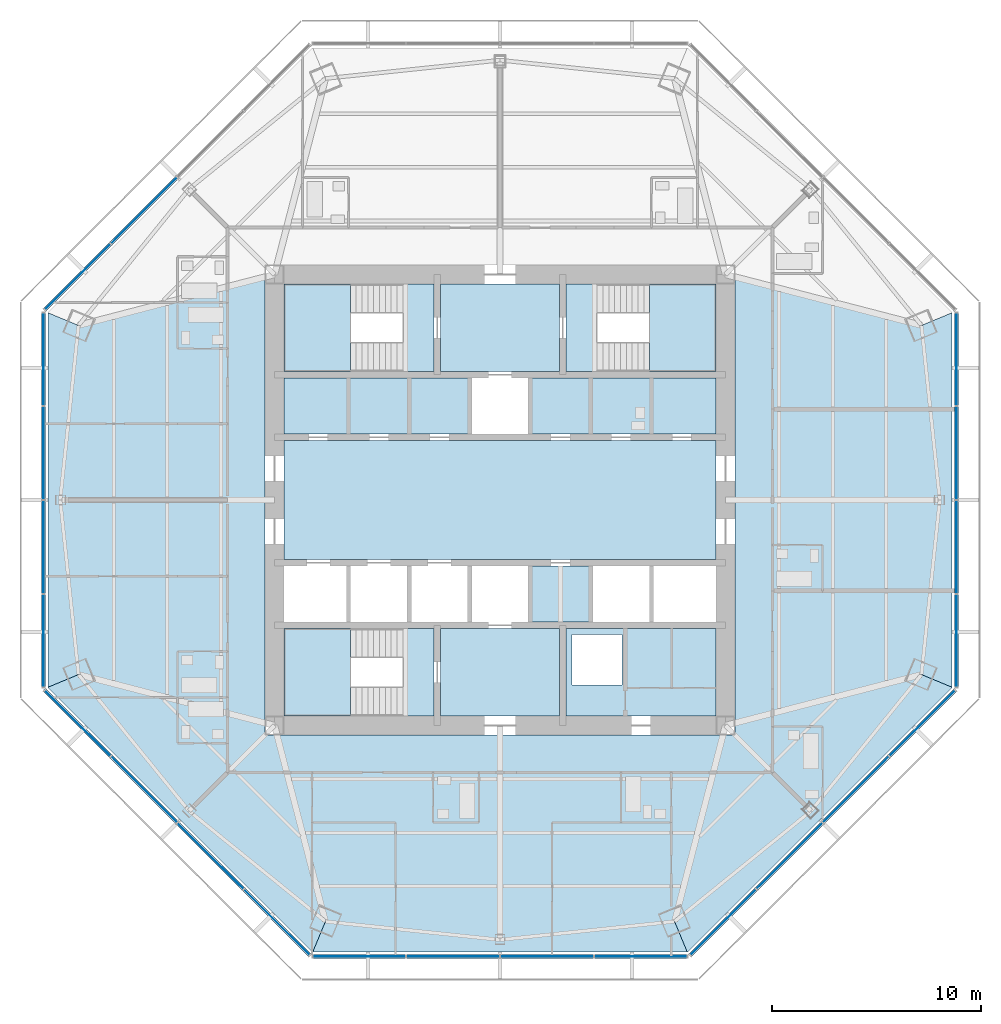
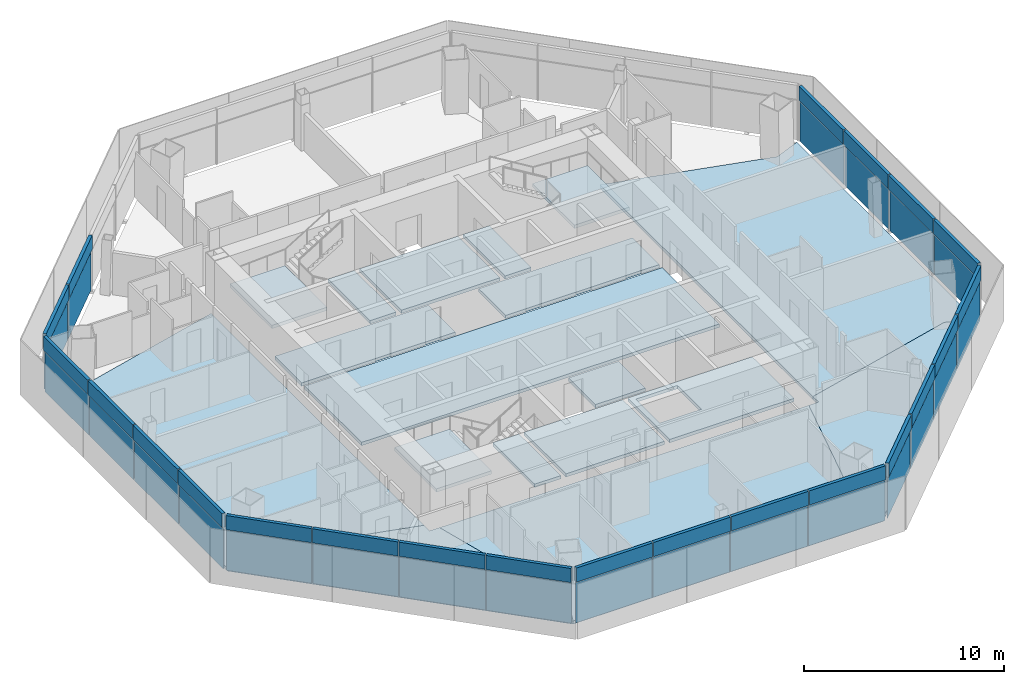
# One storey, part 7 of 16: 44 plates, 18 slabs, 9 elements without a shape of their own.
"""IFC4 building model written with IfcOpenShell, lengths in metres."""

from ifc_helpers import new_model, si_unit, direction, frame, origin, origin_2d, place, context, subcontext, project, spatial, polyline, rectangle, outline, extrude, source, transform, mapped, material, layer, layer_set, type_object, type_shapes, element, aggregate, save


model = new_model("IFC4")

# Units and contexts
model_context = context("Model", 3, precision=1e-05, world=origin(), true_north=direction((0.0, 1.0)))
body_context = subcontext(model_context, "Body", "Model", "MODEL_VIEW")
ifc_project = project(units=[si_unit("LENGTHUNIT", "METRE"), si_unit("AREAUNIT", "SQUARE_METRE"), si_unit("VOLUMEUNIT", "CUBIC_METRE"), si_unit("PLANEANGLEUNIT", "RADIAN"), si_unit("MASSUNIT", "GRAM", prefix="KILO")], contexts=[model_context])

# Site, building, storey
site_placement = place(None, origin())
site = spatial("IfcSite", under=ifc_project, at=site_placement, CompositionType="ELEMENT")
building_placement = place(site_placement, origin())
building = spatial("IfcBuilding", under=site, at=building_placement, Name="Mashrafa Tower", CompositionType="ELEMENT")
storey_placement = place(building_placement, frame((0.0, 0.0, 217.60009765625)))
storey = spatial("IfcBuildingStorey", under=building, at=storey_placement, Name="L50", CompositionType="ELEMENT", Elevation=217.60009765625)

# Slabs
ifc_material_1 = material(Name="Concrete C35/45", Category="concrete")
ifc_layer_1 = layer(ifc_material_1, 0.199951171875)
ifc_layer_set_1 = layer_set([ifc_layer_1], Name="Floor slab 200")
slab_type_1 = type_object("IfcSlabType", Name="Floor slab 200", PredefinedType="FLOOR", material=ifc_layer_set_1)
slab_1_placement = place(storey_placement, frame((0.0, 0.0, -0.2001953125)))
element("IfcSlab", 1, at=slab_1_placement, inside=storey, type_object=slab_type_1, Name="Floor slab L50 east bay", PredefinedType="FLOOR", context=body_context, shape_type="SweptSolid", body=[
    extrude(outline(polyline([(21.6591796875, 8.971435546875), (21.6591796875, -8.971435546875), (21.6591796875, -8.971435546875), (20.1865234375, -8.361572265625), (11.25, -10.68310546875), (11.25, 10.68310546875), (20.1865234375, 8.361572265625), (21.6591796875, 8.971435546875), (21.6591796875, 8.971435546875)])), origin(), (0.0, 0.0, 1.0), 0.2001953125),
])
slab_2_placement = place(storey_placement, frame((0.0, 0.0, -0.2001953125)))
element("IfcSlab", 2, at=slab_2_placement, inside=storey, type_object=slab_type_1, Name="Floor slab L50 west bay", PredefinedType="FLOOR", context=body_context, shape_type="SweptSolid", body=[
    extrude(outline(polyline([(-21.6591796875, -8.971435546875), (-21.6591796875, 8.971435546875), (-21.6591796875, 8.971435546875), (-20.1865234375, 8.361572265625), (-11.25, 10.68310546875), (-11.25, -10.68310546875), (-20.1865234375, -8.361572265625), (-21.6591796875, -8.971435546875), (-21.6591796875, -8.971435546875)])), origin(), (0.0, 0.0, 1.0), 0.2001953125),
])
slab_3_placement = place(storey_placement, frame((0.0, 0.0, -0.2001953125)))
element("IfcSlab", 3, at=slab_3_placement, inside=storey, type_object=slab_type_1, Name="Floor slab L50 south-west bay", PredefinedType="FLOOR", context=body_context, shape_type="SweptSolid", body=[
    extrude(outline(polyline([(-21.6591796875, -8.971435546875), (-20.1865234375, -8.361572265625), (-11.25, -10.68310546875), (-11.25, -11.25), (-10.68310546875, -11.25), (-8.361572265625, -20.1865234375), (-8.971435546875, -21.6591796875), (-21.6591796875, -8.971435546875)])), origin(), (0.0, 0.0, 1.0), 0.2001953125),
])
slab_4_placement = place(storey_placement, frame((0.0, 0.0, -0.2001953125)))
element("IfcSlab", 4, at=slab_4_placement, inside=storey, type_object=slab_type_1, Name="Floor slab L50 south bay", PredefinedType="FLOOR", context=body_context, shape_type="SweptSolid", body=[
    extrude(outline(polyline([(-8.971435546875, -21.6591796875), (-8.971435546875, -21.6591796875), (-8.361572265625, -20.1865234375), (-10.68310546875, -11.25), (10.68310546875, -11.25), (8.361572265625, -20.1865234375), (8.971435546875, -21.6591796875), (8.971435546875, -21.6591796875), (-8.971435546875, -21.6591796875)])), origin(), (0.0, 0.0, 1.0), 0.2001953125),
])
slab_5_placement = place(storey_placement, frame((0.0, 0.0, -0.2001953125)))
element("IfcSlab", 5, at=slab_5_placement, inside=storey, type_object=slab_type_1, Name="Floor slab L50 south-east bay", PredefinedType="FLOOR", context=body_context, shape_type="SweptSolid", body=[
    extrude(outline(polyline([(8.971435546875, -21.6591796875), (8.361572265625, -20.1865234375), (10.68310546875, -11.25), (11.25, -11.25), (11.25, -10.68310546875), (20.1865234375, -8.361572265625), (21.6591796875, -8.971435546875), (8.971435546875, -21.6591796875)])), origin(), (0.0, 0.0, 1.0), 0.2001953125),
])
slab_6_placement = place(storey_placement, frame((0.0, 0.0, -0.2001953125)))
element("IfcSlab", 6, at=slab_6_placement, inside=storey, type_object=slab_type_1, Name="Core floor lift hall L50", PredefinedType="FLOOR", context=body_context, shape_type="SweptSolid", body=[
    extrude(outline(polyline([(-10.35009765625, 2.85009765625), (10.35009765625, 2.85009765625), (10.35009765625, -2.85009765625), (-10.35009765625, -2.85009765625), (-10.35009765625, 2.85009765625)])), origin(), (0.0, 0.0, 1.0), 0.2001953125),
])
slab_7_placement = place(storey_placement, frame((0.0, 0.0, -0.2001953125)))
element("IfcSlab", 7, at=slab_7_placement, inside=storey, type_object=slab_type_1, Name="Core floor riser and electrical band L50", PredefinedType="FLOOR", context=body_context, shape_type="SweptSolid", body=[
    extrude(outline(polyline([(10.35009765625, -6.14990234375), (10.35009765625, -10.35009765625), (3.14990234375, -10.35009765625), (3.14990234375, -6.14990234375), (10.35009765625, -6.14990234375)]), holes=[polyline([(3.449951171875, -8.85009765625), (5.85009765625, -8.85009765625), (5.85009765625, -6.449951171875), (3.449951171875, -6.449951171875), (3.449951171875, -8.85009765625)])]), origin(), (0.0, 0.0, 1.0), 0.2001953125),
])
slab_8_placement = place(storey_placement, frame((0.0, 0.0, -0.2001953125)))
element("IfcSlab", 8, at=slab_8_placement, inside=storey, type_object=slab_type_1, Name="Core floor lift cell L50", PredefinedType="FLOOR", context=body_context, shape_type="SweptSolid", body=[
    extrude(outline(polyline([(-10.35009765625, 5.85009765625), (-1.449951171875, 5.85009765625), (-1.449951171875, 3.14990234375), (-10.35009765625, 3.14990234375), (-10.35009765625, 5.85009765625)])), origin(), (0.0, 0.0, 1.0), 0.2001953125),
])
slab_9_placement = place(storey_placement, frame((0.0, 0.0, -0.2001953125)))
element("IfcSlab", 9, at=slab_9_placement, inside=storey, type_object=slab_type_1, Name="Core floor lift cell L50", PredefinedType="FLOOR", context=body_context, shape_type="SweptSolid", body=[
    extrude(outline(polyline([(1.449951171875, 5.85009765625), (10.35009765625, 5.85009765625), (10.35009765625, 3.14990234375), (1.449951171875, 3.14990234375), (1.449951171875, 5.85009765625)])), origin(), (0.0, 0.0, 1.0), 0.2001953125),
])
slab_10_placement = place(storey_placement, frame((0.0, 0.0, -0.2001953125)))
element("IfcSlab", 10, at=slab_10_placement, inside=storey, type_object=slab_type_1, Name="Core floor fire-fighting lobby south L50", PredefinedType="FLOOR", context=body_context, shape_type="SweptSolid", body=[
    extrude(outline(polyline([(2.85009765625, -6.14990234375), (2.85009765625, -10.35009765625), (-2.85009765625, -10.35009765625), (-2.85009765625, -6.14990234375), (2.85009765625, -6.14990234375)])), origin(), (0.0, 0.0, 1.0), 0.2001953125),
])
slab_11_placement = place(storey_placement, frame((0.0, 0.0, -0.2001953125)))
element("IfcSlab", 11, at=slab_11_placement, inside=storey, type_object=slab_type_1, Name="Core floor fire-fighting lobby north L50", PredefinedType="FLOOR", context=body_context, shape_type="SweptSolid", body=[
    extrude(outline(polyline([(-2.85009765625, 10.35009765625), (2.85009765625, 10.35009765625), (2.85009765625, 6.14990234375), (-2.85009765625, 6.14990234375), (-2.85009765625, 10.35009765625)])), origin(), (0.0, 0.0, 1.0), 0.2001953125),
])
slab_12_placement = place(storey_placement, frame((0.0, 0.0, -0.2001953125)))
element("IfcSlab", 12, at=slab_12_placement, inside=storey, type_object=slab_type_1, Name="Core floor lift cell L50", PredefinedType="FLOOR", context=body_context, shape_type="SweptSolid", body=[
    extrude(outline(polyline([(4.35009765625, -3.14990234375), (4.35009765625, -5.85009765625), (1.449951171875, -5.85009765625), (1.449951171875, -3.14990234375), (4.35009765625, -3.14990234375)])), origin(), (0.0, 0.0, 1.0), 0.2001953125),
])

# Stair, slabs
ifc_material_2 = material(Name="Exit stair 1400")
stair_type = type_object("IfcStairType", Name="Exit stair 1400", PredefinedType="HALF_TURN_STAIR", material=ifc_material_2)
stair_1_placement = place(storey_placement, origin())
stair_1 = element("IfcStair", 13, at=stair_1_placement, inside=storey, type_object=stair_type, Name="Stair S1 L50", PredefinedType="HALF_TURN_STAIR")
ifc_material_3 = material(Name="Concrete C32/40", Category="concrete")
ifc_layer_2 = layer(ifc_material_3, 0.199951171875)
ifc_layer_set_2 = layer_set([ifc_layer_2], Name="Stair landing 200")
slab_type_2 = type_object("IfcSlabType", Name="Stair landing 200", PredefinedType="LANDING", material=ifc_layer_set_2)
slab_13_placement = place(storey_placement, frame((0.0, 0.0, -0.2001953125)))
slab_13 = element("IfcSlab", 14, at=slab_13_placement, type_object=slab_type_2, Name="S1 landing 1", PredefinedType="LANDING", context=body_context, shape_type="SweptSolid", body=[
    extrude(outline(polyline([(-4.659912109375, 6.14990234375), (-3.14990234375, 6.14990234375), (-3.14990234375, 10.35009765625), (-4.659912109375, 10.35009765625), (-4.659912109375, 6.14990234375)])), origin(), (0.0, 0.0, 1.0), 0.2001953125),
])
slab_14_placement = place(storey_placement, frame((0.0, 0.0, 1.5)))
slab_14 = element("IfcSlab", 15, at=slab_14_placement, type_object=slab_type_2, Name="S1 landing 2", PredefinedType="LANDING", context=body_context, shape_type="SweptSolid", body=[
    extrude(outline(polyline([(-10.35009765625, 6.14990234375), (-7.159912109375, 6.14990234375), (-7.159912109375, 10.35009765625), (-10.35009765625, 10.35009765625), (-10.35009765625, 6.14990234375)])), origin(), (0.0, 0.0, 1.0), 0.199951171875),
])
aggregate(stair_1, [slab_13, slab_14])

stair_2_placement = place(storey_placement, origin())
stair_2 = element("IfcStair", 16, at=stair_2_placement, inside=storey, type_object=stair_type, Name="Stair S2 L50", PredefinedType="HALF_TURN_STAIR")
slab_15_placement = place(storey_placement, frame((0.0, 0.0, -0.2001953125)))
slab_15 = element("IfcSlab", 17, at=slab_15_placement, type_object=slab_type_2, Name="S2 landing 1", PredefinedType="LANDING", context=body_context, shape_type="SweptSolid", body=[
    extrude(outline(polyline([(3.14990234375, 6.14990234375), (4.659912109375, 6.14990234375), (4.659912109375, 10.35009765625), (3.14990234375, 10.35009765625), (3.14990234375, 6.14990234375)])), origin(), (0.0, 0.0, 1.0), 0.2001953125),
])
slab_16_placement = place(storey_placement, frame((0.0, 0.0, 1.5)))
slab_16 = element("IfcSlab", 18, at=slab_16_placement, type_object=slab_type_2, Name="S2 landing 2", PredefinedType="LANDING", context=body_context, shape_type="SweptSolid", body=[
    extrude(outline(polyline([(7.159912109375, 6.14990234375), (10.35009765625, 6.14990234375), (10.35009765625, 10.35009765625), (7.159912109375, 10.35009765625), (7.159912109375, 6.14990234375)])), origin(), (0.0, 0.0, 1.0), 0.199951171875),
])
aggregate(stair_2, [slab_15, slab_16])

stair_3_placement = place(storey_placement, origin())
stair_3 = element("IfcStair", 19, at=stair_3_placement, inside=storey, type_object=stair_type, Name="Stair S3 L50", PredefinedType="HALF_TURN_STAIR")
slab_17_placement = place(storey_placement, frame((0.0, 0.0, -0.2001953125)))
slab_17 = element("IfcSlab", 20, at=slab_17_placement, type_object=slab_type_2, Name="S3 landing 1", PredefinedType="LANDING", context=body_context, shape_type="SweptSolid", body=[
    extrude(outline(polyline([(-4.659912109375, -10.35009765625), (-3.14990234375, -10.35009765625), (-3.14990234375, -6.14990234375), (-4.659912109375, -6.14990234375), (-4.659912109375, -10.35009765625)])), origin(), (0.0, 0.0, 1.0), 0.2001953125),
])
slab_18_placement = place(storey_placement, frame((0.0, 0.0, 1.5)))
slab_18 = element("IfcSlab", 21, at=slab_18_placement, type_object=slab_type_2, Name="S3 landing 2", PredefinedType="LANDING", context=body_context, shape_type="SweptSolid", body=[
    extrude(outline(polyline([(-10.35009765625, -10.35009765625), (-7.159912109375, -10.35009765625), (-7.159912109375, -6.14990234375), (-10.35009765625, -6.14990234375), (-10.35009765625, -10.35009765625)])), origin(), (0.0, 0.0, 1.0), 0.199951171875),
])
aggregate(stair_3, [slab_17, slab_18])

# Curtain wall, plates
ifc_material_4 = material(Name="Unitised aluminium curtain wall", Category="aluminium")
curtain_wall_type = type_object("IfcCurtainWallType", Name="Apartment curtain wall, zone 3 CW-C 180 deep", PredefinedType="NOTDEFINED", material=ifc_material_4)
curtain_wall_1_placement = place(storey_placement, origin())
curtain_wall_1 = element("IfcCurtainWall", 22, at=curtain_wall_1_placement, inside=storey, type_object=curtain_wall_type, Name="Apartment curtain wall, zone 3 L50 east", PredefinedType="NOTDEFINED")
ifc_material_5 = material(Name="Insulated double glazing, acoustic", Category="glass")
ifc_layer_3 = layer(ifc_material_5, 0.028076171875)
ifc_layer_set_3 = layer_set([ifc_layer_3], Name="Vision panel CW-C 28")
plate_type_1 = type_object("IfcPlateType", Name="Vision panel CW-C 28", PredefinedType="CURTAIN_PANEL", material=ifc_layer_set_3)
shared_shape_1 = source(origin(), body_context, "Body", "SweptSolid", [
    extrude(rectangle(XDim=4.41357421875, YDim=0.028076171875, at=origin_2d()), origin(), (0.0, 0.0, 1.0), 2.46240234375),
])
plate_1_placement = place(storey_placement, frame((21.859130859375, -6.740234375, 0.0), z_axis=(0.0, 0.0, 1.0), x_axis=(0.0, 1.0, 0.0)))
plate_1 = element("IfcPlate", 23, at=plate_1_placement, type_object=plate_type_1, Name="CW-C vision panel 1", PredefinedType="CURTAIN_PANEL", context=body_context, shape_type="MappedRepresentation", body=[
    mapped(shared_shape_1, transform((0.0, 0.0, 0.0))),
])
plate_2_placement = place(storey_placement, frame((21.859130859375, 6.740234375, 0.0), z_axis=(0.0, 0.0, 1.0), x_axis=(0.0, 1.0, 0.0)))
plate_2 = element("IfcPlate", 24, at=plate_2_placement, type_object=plate_type_1, Name="CW-C vision panel 4", PredefinedType="CURTAIN_PANEL", context=body_context, shape_type="MappedRepresentation", body=[
    mapped(shared_shape_1, transform((0.0, 0.0, 0.0))),
])

# Curtain wall, plate
curtain_wall_2_placement = place(storey_placement, origin())
curtain_wall_2 = element("IfcCurtainWall", 25, at=curtain_wall_2_placement, inside=storey, type_object=curtain_wall_type, Name="Apartment curtain wall, zone 3 L50 north-west", PredefinedType="NOTDEFINED")
plate_3_placement = place(storey_placement, frame((-20.222900390625, 10.690673828125, 0.0), z_axis=(0.0, 0.0, 1.0), x_axis=(-0.707106781187, -0.707106781187, 0.0)))
plate_3 = element("IfcPlate", 26, at=plate_3_placement, type_object=plate_type_1, Name="CW-C vision panel 4", PredefinedType="CURTAIN_PANEL", context=body_context, shape_type="MappedRepresentation", body=[
    mapped(shared_shape_1, transform((0.0, 0.0, 0.0))),
])

# Curtain wall, plates
curtain_wall_3_placement = place(storey_placement, origin())
curtain_wall_3 = element("IfcCurtainWall", 27, at=curtain_wall_3_placement, inside=storey, type_object=curtain_wall_type, Name="Apartment curtain wall, zone 3 L50 west", PredefinedType="NOTDEFINED")
plate_4_placement = place(storey_placement, frame((-21.859130859375, 6.740234375, 0.0), z_axis=(0.0, 0.0, 1.0), x_axis=(0.0, -1.0, 0.0)))
plate_4 = element("IfcPlate", 28, at=plate_4_placement, type_object=plate_type_1, Name="CW-C vision panel 1", PredefinedType="CURTAIN_PANEL", context=body_context, shape_type="MappedRepresentation", body=[
    mapped(shared_shape_1, transform((0.0, 0.0, 0.0))),
])
plate_5_placement = place(storey_placement, frame((-21.859130859375, -6.740234375, 0.0), z_axis=(0.0, 0.0, 1.0), x_axis=(0.0, -1.0, 0.0)))
plate_5 = element("IfcPlate", 29, at=plate_5_placement, type_object=plate_type_1, Name="CW-C vision panel 4", PredefinedType="CURTAIN_PANEL", context=body_context, shape_type="MappedRepresentation", body=[
    mapped(shared_shape_1, transform((0.0, 0.0, 0.0))),
])

curtain_wall_4_placement = place(storey_placement, origin())
curtain_wall_4 = element("IfcCurtainWall", 30, at=curtain_wall_4_placement, inside=storey, type_object=curtain_wall_type, Name="Apartment curtain wall, zone 3 L50 south-west", PredefinedType="NOTDEFINED")
plate_6_placement = place(storey_placement, frame((-20.222900390625, -10.690673828125, 0.0), z_axis=(0.0, 0.0, 1.0), x_axis=(0.707106781187, -0.707106781187, 0.0)))
plate_6 = element("IfcPlate", 31, at=plate_6_placement, type_object=plate_type_1, Name="CW-C vision panel 1", PredefinedType="CURTAIN_PANEL", context=body_context, shape_type="MappedRepresentation", body=[
    mapped(shared_shape_1, transform((0.0, 0.0, 0.0))),
])
plate_7_placement = place(storey_placement, frame((-10.690673828125, -20.222900390625, 0.0), z_axis=(0.0, 0.0, 1.0), x_axis=(0.707106781187, -0.707106781187, 0.0)))
plate_7 = element("IfcPlate", 32, at=plate_7_placement, type_object=plate_type_1, Name="CW-C vision panel 4", PredefinedType="CURTAIN_PANEL", context=body_context, shape_type="MappedRepresentation", body=[
    mapped(shared_shape_1, transform((0.0, 0.0, 0.0))),
])

curtain_wall_5_placement = place(storey_placement, origin())
curtain_wall_5 = element("IfcCurtainWall", 33, at=curtain_wall_5_placement, inside=storey, type_object=curtain_wall_type, Name="Apartment curtain wall, zone 3 L50 south", PredefinedType="NOTDEFINED")
plate_8_placement = place(storey_placement, frame((-6.740234375, -21.859130859375, 0.0), z_axis=(0.0, 0.0, 1.0), x_axis=(1.0, 0.0, 0.0)))
plate_8 = element("IfcPlate", 34, at=plate_8_placement, type_object=plate_type_1, Name="CW-C vision panel 1", PredefinedType="CURTAIN_PANEL", context=body_context, shape_type="MappedRepresentation", body=[
    mapped(shared_shape_1, transform((0.0, 0.0, 0.0))),
])
plate_9_placement = place(storey_placement, frame((6.740234375, -21.859130859375, 0.0), z_axis=(0.0, 0.0, 1.0), x_axis=(1.0, 0.0, 0.0)))
plate_9 = element("IfcPlate", 35, at=plate_9_placement, type_object=plate_type_1, Name="CW-C vision panel 4", PredefinedType="CURTAIN_PANEL", context=body_context, shape_type="MappedRepresentation", body=[
    mapped(shared_shape_1, transform((0.0, 0.0, 0.0))),
])

curtain_wall_6_placement = place(storey_placement, origin())
curtain_wall_6 = element("IfcCurtainWall", 36, at=curtain_wall_6_placement, inside=storey, type_object=curtain_wall_type, Name="Apartment curtain wall, zone 3 L50 south-east", PredefinedType="NOTDEFINED")
plate_10_placement = place(storey_placement, frame((10.690673828125, -20.222900390625, 0.0), z_axis=(0.0, 0.0, 1.0), x_axis=(0.707106781187, 0.707106781187, 0.0)))
plate_10 = element("IfcPlate", 37, at=plate_10_placement, type_object=plate_type_1, Name="CW-C vision panel 1", PredefinedType="CURTAIN_PANEL", context=body_context, shape_type="MappedRepresentation", body=[
    mapped(shared_shape_1, transform((0.0, 0.0, 0.0))),
])
plate_11_placement = place(storey_placement, frame((20.222900390625, -10.690673828125, 0.0), z_axis=(0.0, 0.0, 1.0), x_axis=(0.707106781187, 0.707106781187, 0.0)))
plate_11 = element("IfcPlate", 38, at=plate_11_placement, type_object=plate_type_1, Name="CW-C vision panel 4", PredefinedType="CURTAIN_PANEL", context=body_context, shape_type="MappedRepresentation", body=[
    mapped(shared_shape_1, transform((0.0, 0.0, 0.0))),
])

# Plate
ifc_material_6 = material(Name="Insulated bronze aluminium spandrel panel", Category="aluminium")
ifc_layer_4 = layer(ifc_material_6, 0.179931640625)
ifc_layer_set_4 = layer_set([ifc_layer_4], Name="Spandrel panel CW-C 180")
plate_type_2 = type_object("IfcPlateType", Name="Spandrel panel CW-C 180", PredefinedType="CURTAIN_PANEL", material=ifc_layer_set_4)
shared_shape_2 = source(origin(), body_context, "Body", "SweptSolid", [
    extrude(rectangle(XDim=4.41357421875, YDim=0.179931640625, at=origin_2d()), origin(), (0.0, 0.0, 1.0), 0.862548828125),
])
plate_12_placement = place(storey_placement, frame((21.859130859375, -6.740234375, 2.53759765625), z_axis=(0.0, 0.0, 1.0), x_axis=(0.0, 1.0, 0.0)))
plate_12 = element("IfcPlate", 39, at=plate_12_placement, type_object=plate_type_2, Name="CW-C spandrel panel 1", PredefinedType="CURTAIN_PANEL", context=body_context, shape_type="MappedRepresentation", body=[
    mapped(shared_shape_2, transform((0.0, 0.0, 0.0))),
])

plate_13_placement = place(storey_placement, frame((21.859130859375, 6.740234375, 2.53759765625), z_axis=(0.0, 0.0, 1.0), x_axis=(0.0, 1.0, 0.0)))
plate_13 = element("IfcPlate", 40, at=plate_13_placement, type_object=plate_type_2, Name="CW-C spandrel panel 4", PredefinedType="CURTAIN_PANEL", context=body_context, shape_type="MappedRepresentation", body=[
    mapped(shared_shape_2, transform((0.0, 0.0, 0.0))),
])

plate_14_placement = place(storey_placement, frame((-20.222900390625, 10.690673828125, 2.53759765625), z_axis=(0.0, 0.0, 1.0), x_axis=(-0.707106781187, -0.707106781187, 0.0)))
plate_14 = element("IfcPlate", 41, at=plate_14_placement, type_object=plate_type_2, Name="CW-C spandrel panel 4", PredefinedType="CURTAIN_PANEL", context=body_context, shape_type="MappedRepresentation", body=[
    mapped(shared_shape_2, transform((0.0, 0.0, 0.0))),
])

plate_15_placement = place(storey_placement, frame((-21.859130859375, 6.740234375, 2.53759765625), z_axis=(0.0, 0.0, 1.0), x_axis=(0.0, -1.0, 0.0)))
plate_15 = element("IfcPlate", 42, at=plate_15_placement, type_object=plate_type_2, Name="CW-C spandrel panel 1", PredefinedType="CURTAIN_PANEL", context=body_context, shape_type="MappedRepresentation", body=[
    mapped(shared_shape_2, transform((0.0, 0.0, 0.0))),
])

plate_16_placement = place(storey_placement, frame((-21.859130859375, -6.740234375, 2.53759765625), z_axis=(0.0, 0.0, 1.0), x_axis=(0.0, -1.0, 0.0)))
plate_16 = element("IfcPlate", 43, at=plate_16_placement, type_object=plate_type_2, Name="CW-C spandrel panel 4", PredefinedType="CURTAIN_PANEL", context=body_context, shape_type="MappedRepresentation", body=[
    mapped(shared_shape_2, transform((0.0, 0.0, 0.0))),
])

plate_17_placement = place(storey_placement, frame((-20.222900390625, -10.690673828125, 2.53759765625), z_axis=(0.0, 0.0, 1.0), x_axis=(0.707106781187, -0.707106781187, 0.0)))
plate_17 = element("IfcPlate", 44, at=plate_17_placement, type_object=plate_type_2, Name="CW-C spandrel panel 1", PredefinedType="CURTAIN_PANEL", context=body_context, shape_type="MappedRepresentation", body=[
    mapped(shared_shape_2, transform((0.0, 0.0, 0.0))),
])

plate_18_placement = place(storey_placement, frame((-10.690673828125, -20.222900390625, 2.53759765625), z_axis=(0.0, 0.0, 1.0), x_axis=(0.707106781187, -0.707106781187, 0.0)))
plate_18 = element("IfcPlate", 45, at=plate_18_placement, type_object=plate_type_2, Name="CW-C spandrel panel 4", PredefinedType="CURTAIN_PANEL", context=body_context, shape_type="MappedRepresentation", body=[
    mapped(shared_shape_2, transform((0.0, 0.0, 0.0))),
])

plate_19_placement = place(storey_placement, frame((-6.740234375, -21.859130859375, 2.53759765625), z_axis=(0.0, 0.0, 1.0), x_axis=(1.0, 0.0, 0.0)))
plate_19 = element("IfcPlate", 46, at=plate_19_placement, type_object=plate_type_2, Name="CW-C spandrel panel 1", PredefinedType="CURTAIN_PANEL", context=body_context, shape_type="MappedRepresentation", body=[
    mapped(shared_shape_2, transform((0.0, 0.0, 0.0))),
])

plate_20_placement = place(storey_placement, frame((6.740234375, -21.859130859375, 2.53759765625), z_axis=(0.0, 0.0, 1.0), x_axis=(1.0, 0.0, 0.0)))
plate_20 = element("IfcPlate", 47, at=plate_20_placement, type_object=plate_type_2, Name="CW-C spandrel panel 4", PredefinedType="CURTAIN_PANEL", context=body_context, shape_type="MappedRepresentation", body=[
    mapped(shared_shape_2, transform((0.0, 0.0, 0.0))),
])

plate_21_placement = place(storey_placement, frame((10.690673828125, -20.222900390625, 2.53759765625), z_axis=(0.0, 0.0, 1.0), x_axis=(0.707106781187, 0.707106781187, 0.0)))
plate_21 = element("IfcPlate", 48, at=plate_21_placement, type_object=plate_type_2, Name="CW-C spandrel panel 1", PredefinedType="CURTAIN_PANEL", context=body_context, shape_type="MappedRepresentation", body=[
    mapped(shared_shape_2, transform((0.0, 0.0, 0.0))),
])

plate_22_placement = place(storey_placement, frame((20.222900390625, -10.690673828125, 2.53759765625), z_axis=(0.0, 0.0, 1.0), x_axis=(0.707106781187, 0.707106781187, 0.0)))
plate_22 = element("IfcPlate", 49, at=plate_22_placement, type_object=plate_type_2, Name="CW-C spandrel panel 4", PredefinedType="CURTAIN_PANEL", context=body_context, shape_type="MappedRepresentation", body=[
    mapped(shared_shape_2, transform((0.0, 0.0, 0.0))),
])

shared_shape_3 = source(origin(), body_context, "Body", "SweptSolid", [
    extrude(rectangle(XDim=4.443603515625, YDim=0.028076171875, at=origin_2d()), origin(), (0.0, 0.0, 1.0), 2.46240234375),
])
type_shapes(plate_type_1, [shared_shape_1, shared_shape_3])
plate_23_placement = place(storey_placement, frame((21.859130859375, -2.251708984375, 0.0), z_axis=(0.0, 0.0, 1.0), x_axis=(0.0, 1.0, 0.0)))
plate_23 = element("IfcPlate", 50, at=plate_23_placement, type_object=plate_type_1, Name="CW-C vision panel 2", PredefinedType="CURTAIN_PANEL", context=body_context, shape_type="MappedRepresentation", body=[
    mapped(shared_shape_3, transform((0.0, 0.0, 0.0))),
])

plate_24_placement = place(storey_placement, frame((21.859130859375, 2.251708984375, 0.0), z_axis=(0.0, 0.0, 1.0), x_axis=(0.0, 1.0, 0.0)))
plate_24 = element("IfcPlate", 51, at=plate_24_placement, type_object=plate_type_1, Name="CW-C vision panel 3", PredefinedType="CURTAIN_PANEL", context=body_context, shape_type="MappedRepresentation", body=[
    mapped(shared_shape_3, transform((0.0, 0.0, 0.0))),
])

plate_25_placement = place(storey_placement, frame((-17.049072265625, 13.864501953125, 0.0), z_axis=(0.0, 0.0, 1.0), x_axis=(-0.707106781187, -0.707106781187, 0.0)))
plate_25 = element("IfcPlate", 52, at=plate_25_placement, type_object=plate_type_1, Name="CW-C vision panel 3", PredefinedType="CURTAIN_PANEL", context=body_context, shape_type="MappedRepresentation", body=[
    mapped(shared_shape_3, transform((0.0, 0.0, 0.0))),
])

plate_26_placement = place(storey_placement, frame((-21.859130859375, 2.251708984375, 0.0), z_axis=(0.0, 0.0, 1.0), x_axis=(0.0, -1.0, 0.0)))
plate_26 = element("IfcPlate", 53, at=plate_26_placement, type_object=plate_type_1, Name="CW-C vision panel 2", PredefinedType="CURTAIN_PANEL", context=body_context, shape_type="MappedRepresentation", body=[
    mapped(shared_shape_3, transform((0.0, 0.0, 0.0))),
])

plate_27_placement = place(storey_placement, frame((-21.859130859375, -2.251708984375, 0.0), z_axis=(0.0, 0.0, 1.0), x_axis=(0.0, -1.0, 0.0)))
plate_27 = element("IfcPlate", 54, at=plate_27_placement, type_object=plate_type_1, Name="CW-C vision panel 3", PredefinedType="CURTAIN_PANEL", context=body_context, shape_type="MappedRepresentation", body=[
    mapped(shared_shape_3, transform((0.0, 0.0, 0.0))),
])

plate_28_placement = place(storey_placement, frame((-17.049072265625, -13.864501953125, 0.0), z_axis=(0.0, 0.0, 1.0), x_axis=(0.707106781187, -0.707106781187, 0.0)))
plate_28 = element("IfcPlate", 55, at=plate_28_placement, type_object=plate_type_1, Name="CW-C vision panel 2", PredefinedType="CURTAIN_PANEL", context=body_context, shape_type="MappedRepresentation", body=[
    mapped(shared_shape_3, transform((0.0, 0.0, 0.0))),
])

plate_29_placement = place(storey_placement, frame((-13.864501953125, -17.049072265625, 0.0), z_axis=(0.0, 0.0, 1.0), x_axis=(0.707106781187, -0.707106781187, 0.0)))
plate_29 = element("IfcPlate", 56, at=plate_29_placement, type_object=plate_type_1, Name="CW-C vision panel 3", PredefinedType="CURTAIN_PANEL", context=body_context, shape_type="MappedRepresentation", body=[
    mapped(shared_shape_3, transform((0.0, 0.0, 0.0))),
])

plate_30_placement = place(storey_placement, frame((-2.251708984375, -21.859130859375, 0.0), z_axis=(0.0, 0.0, 1.0), x_axis=(1.0, 0.0, 0.0)))
plate_30 = element("IfcPlate", 57, at=plate_30_placement, type_object=plate_type_1, Name="CW-C vision panel 2", PredefinedType="CURTAIN_PANEL", context=body_context, shape_type="MappedRepresentation", body=[
    mapped(shared_shape_3, transform((0.0, 0.0, 0.0))),
])

plate_31_placement = place(storey_placement, frame((2.251708984375, -21.859130859375, 0.0), z_axis=(0.0, 0.0, 1.0), x_axis=(1.0, 0.0, 0.0)))
plate_31 = element("IfcPlate", 58, at=plate_31_placement, type_object=plate_type_1, Name="CW-C vision panel 3", PredefinedType="CURTAIN_PANEL", context=body_context, shape_type="MappedRepresentation", body=[
    mapped(shared_shape_3, transform((0.0, 0.0, 0.0))),
])

plate_32_placement = place(storey_placement, frame((13.864501953125, -17.049072265625, 0.0), z_axis=(0.0, 0.0, 1.0), x_axis=(0.707106781187, 0.707106781187, 0.0)))
plate_32 = element("IfcPlate", 59, at=plate_32_placement, type_object=plate_type_1, Name="CW-C vision panel 2", PredefinedType="CURTAIN_PANEL", context=body_context, shape_type="MappedRepresentation", body=[
    mapped(shared_shape_3, transform((0.0, 0.0, 0.0))),
])

plate_33_placement = place(storey_placement, frame((17.049072265625, -13.864501953125, 0.0), z_axis=(0.0, 0.0, 1.0), x_axis=(0.707106781187, 0.707106781187, 0.0)))
plate_33 = element("IfcPlate", 60, at=plate_33_placement, type_object=plate_type_1, Name="CW-C vision panel 3", PredefinedType="CURTAIN_PANEL", context=body_context, shape_type="MappedRepresentation", body=[
    mapped(shared_shape_3, transform((0.0, 0.0, 0.0))),
])

shared_shape_4 = source(origin(), body_context, "Body", "SweptSolid", [
    extrude(rectangle(XDim=4.443603515625, YDim=0.179931640625, at=origin_2d()), origin(), (0.0, 0.0, 1.0), 0.862548828125),
])
type_shapes(plate_type_2, [shared_shape_2, shared_shape_4])
plate_34_placement = place(storey_placement, frame((21.859130859375, -2.251708984375, 2.53759765625), z_axis=(0.0, 0.0, 1.0), x_axis=(0.0, 1.0, 0.0)))
plate_34 = element("IfcPlate", 61, at=plate_34_placement, type_object=plate_type_2, Name="CW-C spandrel panel 2", PredefinedType="CURTAIN_PANEL", context=body_context, shape_type="MappedRepresentation", body=[
    mapped(shared_shape_4, transform((0.0, 0.0, 0.0))),
])

plate_35_placement = place(storey_placement, frame((21.859130859375, 2.251708984375, 2.53759765625), z_axis=(0.0, 0.0, 1.0), x_axis=(0.0, 1.0, 0.0)))
plate_35 = element("IfcPlate", 62, at=plate_35_placement, type_object=plate_type_2, Name="CW-C spandrel panel 3", PredefinedType="CURTAIN_PANEL", context=body_context, shape_type="MappedRepresentation", body=[
    mapped(shared_shape_4, transform((0.0, 0.0, 0.0))),
])

aggregate(curtain_wall_1, [plate_1, plate_12, plate_23, plate_34, plate_24, plate_35, plate_2, plate_13])

plate_36_placement = place(storey_placement, frame((-17.049072265625, 13.864501953125, 2.53759765625), z_axis=(0.0, 0.0, 1.0), x_axis=(-0.707106781187, -0.707106781187, 0.0)))
plate_36 = element("IfcPlate", 63, at=plate_36_placement, type_object=plate_type_2, Name="CW-C spandrel panel 3", PredefinedType="CURTAIN_PANEL", context=body_context, shape_type="MappedRepresentation", body=[
    mapped(shared_shape_4, transform((0.0, 0.0, 0.0))),
])

aggregate(curtain_wall_2, [plate_25, plate_36, plate_3, plate_14])

plate_37_placement = place(storey_placement, frame((-21.859130859375, 2.251708984375, 2.53759765625), z_axis=(0.0, 0.0, 1.0), x_axis=(0.0, -1.0, 0.0)))
plate_37 = element("IfcPlate", 64, at=plate_37_placement, type_object=plate_type_2, Name="CW-C spandrel panel 2", PredefinedType="CURTAIN_PANEL", context=body_context, shape_type="MappedRepresentation", body=[
    mapped(shared_shape_4, transform((0.0, 0.0, 0.0))),
])

plate_38_placement = place(storey_placement, frame((-21.859130859375, -2.251708984375, 2.53759765625), z_axis=(0.0, 0.0, 1.0), x_axis=(0.0, -1.0, 0.0)))
plate_38 = element("IfcPlate", 65, at=plate_38_placement, type_object=plate_type_2, Name="CW-C spandrel panel 3", PredefinedType="CURTAIN_PANEL", context=body_context, shape_type="MappedRepresentation", body=[
    mapped(shared_shape_4, transform((0.0, 0.0, 0.0))),
])

aggregate(curtain_wall_3, [plate_4, plate_15, plate_26, plate_37, plate_27, plate_38, plate_5, plate_16])

plate_39_placement = place(storey_placement, frame((-17.049072265625, -13.864501953125, 2.53759765625), z_axis=(0.0, 0.0, 1.0), x_axis=(0.707106781187, -0.707106781187, 0.0)))
plate_39 = element("IfcPlate", 66, at=plate_39_placement, type_object=plate_type_2, Name="CW-C spandrel panel 2", PredefinedType="CURTAIN_PANEL", context=body_context, shape_type="MappedRepresentation", body=[
    mapped(shared_shape_4, transform((0.0, 0.0, 0.0))),
])

plate_40_placement = place(storey_placement, frame((-13.864501953125, -17.049072265625, 2.53759765625), z_axis=(0.0, 0.0, 1.0), x_axis=(0.707106781187, -0.707106781187, 0.0)))
plate_40 = element("IfcPlate", 67, at=plate_40_placement, type_object=plate_type_2, Name="CW-C spandrel panel 3", PredefinedType="CURTAIN_PANEL", context=body_context, shape_type="MappedRepresentation", body=[
    mapped(shared_shape_4, transform((0.0, 0.0, 0.0))),
])

aggregate(curtain_wall_4, [plate_6, plate_17, plate_28, plate_39, plate_29, plate_40, plate_7, plate_18])

plate_41_placement = place(storey_placement, frame((-2.251708984375, -21.859130859375, 2.53759765625), z_axis=(0.0, 0.0, 1.0), x_axis=(1.0, 0.0, 0.0)))
plate_41 = element("IfcPlate", 68, at=plate_41_placement, type_object=plate_type_2, Name="CW-C spandrel panel 2", PredefinedType="CURTAIN_PANEL", context=body_context, shape_type="MappedRepresentation", body=[
    mapped(shared_shape_4, transform((0.0, 0.0, 0.0))),
])

plate_42_placement = place(storey_placement, frame((2.251708984375, -21.859130859375, 2.53759765625), z_axis=(0.0, 0.0, 1.0), x_axis=(1.0, 0.0, 0.0)))
plate_42 = element("IfcPlate", 69, at=plate_42_placement, type_object=plate_type_2, Name="CW-C spandrel panel 3", PredefinedType="CURTAIN_PANEL", context=body_context, shape_type="MappedRepresentation", body=[
    mapped(shared_shape_4, transform((0.0, 0.0, 0.0))),
])

aggregate(curtain_wall_5, [plate_8, plate_19, plate_30, plate_41, plate_31, plate_42, plate_9, plate_20])

plate_43_placement = place(storey_placement, frame((13.864501953125, -17.049072265625, 2.53759765625), z_axis=(0.0, 0.0, 1.0), x_axis=(0.707106781187, 0.707106781187, 0.0)))
plate_43 = element("IfcPlate", 70, at=plate_43_placement, type_object=plate_type_2, Name="CW-C spandrel panel 2", PredefinedType="CURTAIN_PANEL", context=body_context, shape_type="MappedRepresentation", body=[
    mapped(shared_shape_4, transform((0.0, 0.0, 0.0))),
])

plate_44_placement = place(storey_placement, frame((17.049072265625, -13.864501953125, 2.53759765625), z_axis=(0.0, 0.0, 1.0), x_axis=(0.707106781187, 0.707106781187, 0.0)))
plate_44 = element("IfcPlate", 71, at=plate_44_placement, type_object=plate_type_2, Name="CW-C spandrel panel 3", PredefinedType="CURTAIN_PANEL", context=body_context, shape_type="MappedRepresentation", body=[
    mapped(shared_shape_4, transform((0.0, 0.0, 0.0))),
])

aggregate(curtain_wall_6, [plate_10, plate_21, plate_32, plate_43, plate_33, plate_44, plate_11, plate_22])

save(model, "model.ifc")
